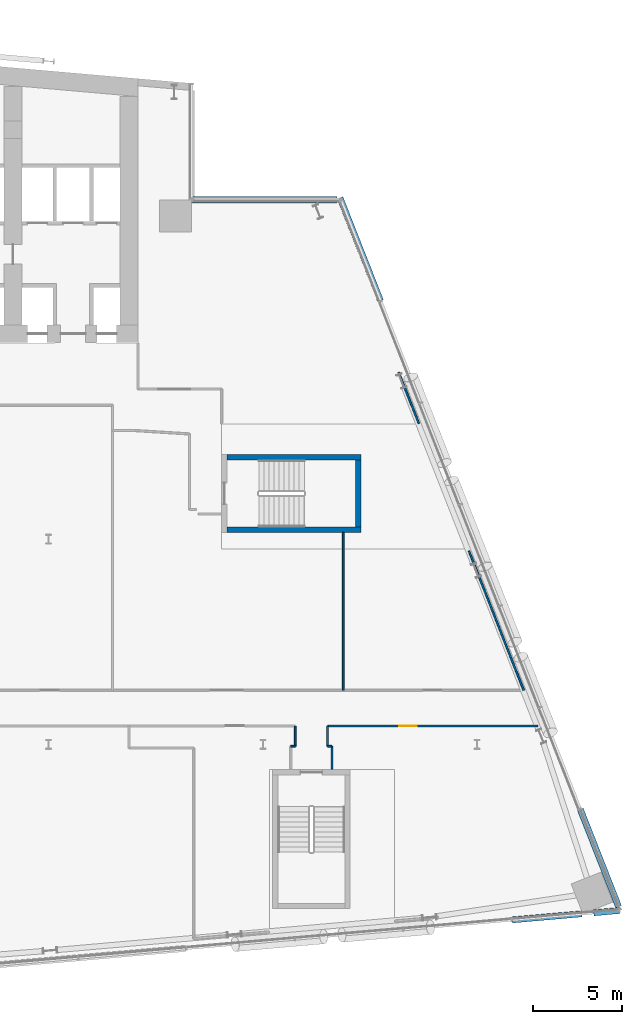
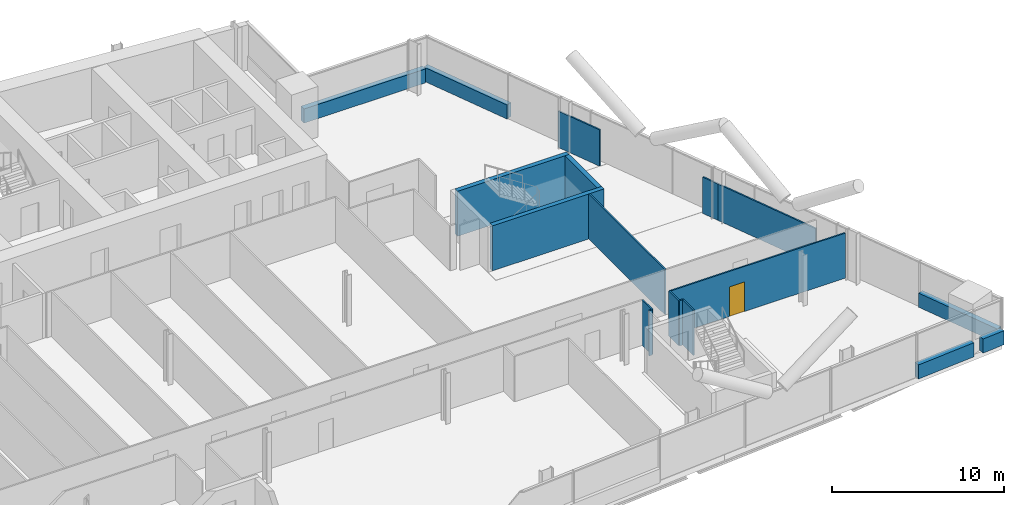
# One storey, part 19 of 27: 18 walls, 1 door, 1 opening.
"""IFC4 building model written with IfcOpenShell, lengths in metres."""

import ifcopenshell
import ifcopenshell.guid

model = None  # the IFC model being written
_history = None  # IfcOwnerHistory: only IFC2X3 demands one
_inside = {}  # id of a spatial element -> (the spatial element, [elements in it])
_under = {}  # id of a project, library or spatial element -> (it, [spatial elements below it])
_declared = {}  # id of a project -> (the project, [libraries it declares])
_typed = {}  # id of a type object -> (the type object, [elements of that type])
_made_of = {}  # id of a material, layer set ... -> (it, [elements and type objects made of it])


def new_model(schema):
    """Start an empty IFC model of exactly this schema.

    Asked for "IFC4X3", IfcOpenShell would pick the latest addendum, in which some entities
    have other attributes; the version numbers below select the first issue.
    IFC2X3 requires an IfcOwnerHistory on every rooted entity: one is made here for all.
    """
    global model, _history
    if schema == "IFC4X3":
        model = ifcopenshell.file(schema_version=(4, 3, 0, 0))
    else:
        model = ifcopenshell.file(schema=schema)
    _inside.clear()
    _under.clear()
    _declared.clear()
    _typed.clear()
    _made_of.clear()
    _history = None
    if model.schema == "IFC2X3":
        org = make("IfcOrganization", Name="unknown")
        user = make(
            "IfcPersonAndOrganization",
            ThePerson=make("IfcPerson", FamilyName="unknown"),
            TheOrganization=org,
        )
        app = make(
            "IfcApplication",
            ApplicationDeveloper=org,
            Version="unknown",
            ApplicationFullName="unknown",
            ApplicationIdentifier="unknown",
        )
        _history = make(
            "IfcOwnerHistory",
            OwningUser=user,
            OwningApplication=app,
            ChangeAction="ADDED",
            CreationDate=0,
        )
    return model


def make(cls, **values):
    """One entity of the class cls with the attributes given. An attribute that is None is left unset."""
    return model.create_entity(
        cls, **{name: value for name, value in values.items() if value is not None}
    )


def rooted(cls, **values):
    """An entity with a GlobalId (a new one), such as an element, a storey or a relation."""
    return make(cls, GlobalId=ifcopenshell.guid.new(), OwnerHistory=_history, **values)


def si_unit(unit_type, name, prefix=None):
    """IfcSIUnit, for example si_unit("LENGTHUNIT", "METRE", prefix="MILLI")."""
    return make("IfcSIUnit", UnitType=unit_type, Prefix=prefix, Name=name)


def assignment(units):
    """IfcUnitAssignment: the units of a project."""
    return None if units is None else make("IfcUnitAssignment", Units=units)


def point(xyz):
    """IfcCartesianPoint."""
    return None if xyz is None else make("IfcCartesianPoint", Coordinates=xyz)


def direction(xyz):
    """IfcDirection."""
    return None if xyz is None else make("IfcDirection", DirectionRatios=xyz)


def frame(location, z_axis=None, x_axis=None):
    """IfcAxis2Placement3D, a coordinate frame: its origin and axes. An axis left out is left unset."""
    return make(
        "IfcAxis2Placement3D",
        Location=point(location),
        Axis=direction(z_axis),
        RefDirection=direction(x_axis),
    )


def frame_2d(location, x_axis=None):
    """IfcAxis2Placement2D, a coordinate frame in the plane: its origin and x axis."""
    return make(
        "IfcAxis2Placement2D", Location=point(location), RefDirection=direction(x_axis)
    )


def origin():
    """The frame at (0, 0, 0) with its axes left unset."""
    return frame((0.0, 0.0, 0.0))


def place(relative_to, where):
    """IfcLocalPlacement: puts the frame where relative to a parent placement (None: the world)."""
    return make(
        "IfcLocalPlacement", PlacementRelTo=relative_to, RelativePlacement=where
    )


def context(
    kind, dimensions, precision=None, world=None, true_north=None, identifier=None
):
    """IfcGeometricRepresentationContext, for example the 3D "Model" context."""
    return make(
        "IfcGeometricRepresentationContext",
        ContextIdentifier=identifier,
        ContextType=kind,
        CoordinateSpaceDimension=dimensions,
        Precision=precision,
        WorldCoordinateSystem=world,
        TrueNorth=true_north,
    )


def subcontext(parent, identifier, kind, view, scale=None):
    """IfcGeometricRepresentationSubContext, for example "Body" below "Model"."""
    return make(
        "IfcGeometricRepresentationSubContext",
        ContextIdentifier=identifier,
        ContextType=kind,
        ParentContext=parent,
        TargetScale=scale,
        TargetView=view,
    )


def project(units=None, contexts=None):
    """IfcProject with its units and contexts."""
    return rooted(
        "IfcProject",
        Name="project",
        RepresentationContexts=contexts,
        UnitsInContext=assignment(units),
    )


def spatial(cls, under=None, at=None, **own):
    """A site, building, storey or space (cls), placed at a placement, below another one or the project."""
    s = rooted(cls, ObjectPlacement=at, **own)
    if under is not None:
        _under.setdefault(under.id(), (under, []))[1].append(s)
    return s


def profile(cls, at=None, kind="AREA", **sizes):
    """A parametric profile (cls). Its sizes go by their IFC names, for example OverallWidth=200.0."""
    return make(cls, ProfileType=kind, Position=at, **sizes)


def rectangle(**sizes):
    """IfcRectangleProfileDef."""
    return profile("IfcRectangleProfileDef", **sizes)


def extrude(swept, where, along, depth):
    """IfcExtrudedAreaSolid: the profile swept, set in the frame where, extruded along a direction by depth."""
    return make(
        "IfcExtrudedAreaSolid",
        SweptArea=swept,
        Position=where,
        ExtrudedDirection=direction(along),
        Depth=depth,
    )


def shape(context_of_items, identifier, shape_type, items):
    """IfcShapeRepresentation: the items that make up one representation, for example the "Body"."""
    return make(
        "IfcShapeRepresentation",
        ContextOfItems=context_of_items,
        RepresentationIdentifier=identifier,
        RepresentationType=shape_type,
        Items=items,
    )


def material(Name=None, Category=None):
    """IfcMaterial."""
    return make("IfcMaterial", Name=Name, Category=Category)


def layer(
    of_material, thickness, ventilated=None, Name=None, Category=None, Priority=None
):
    """IfcMaterialLayer: one layer of a wall or slab, of a material (None: an air gap)."""
    return make(
        "IfcMaterialLayer",
        Material=of_material,
        LayerThickness=thickness,
        IsVentilated=ventilated,
        Name=Name,
        Category=Category,
        Priority=Priority,
    )


def layer_set(layers, Name=None):
    """IfcMaterialLayerSet."""
    return make("IfcMaterialLayerSet", MaterialLayers=layers, LayerSetName=Name)


def made_of(thing, what):
    """Note that an element or type object is made of a material, layer set ...; save() writes the relation."""
    if what is not None:
        _made_of.setdefault(what.id(), (what, []))[1].append(thing)
    return thing


def type_object(cls, material=None, **own):
    """A type object (cls), such as IfcWallType, which elements share."""
    return made_of(rooted(cls, **own), material)


def element(
    cls,
    number,
    at=None,
    inside=None,
    cuts=None,
    type_object=None,
    material=None,
    context=None,
    identifier="Body",
    shape_type=None,
    held_by="IfcProductDefinitionShape",
    body=None,
    shapes=None,
    **own,
):
    """One element of the class cls, such as IfcWall. Its Tag is "e" and its number.

    at: its placement. inside: the storey or other place that contains it. cuts: it is an
    opening in that element (IfcRelVoidsElement). A single representation is given by context,
    identifier, shape_type and body (its items); several are given by shapes. held_by: the class
    of the entity that holds the representations. save() writes the other relations.
    """
    e = rooted(cls, Tag="e%d" % number, ObjectPlacement=at, **own)
    if body is not None:
        shapes = [shape(context, identifier, shape_type, body)]
    if shapes is not None:
        e.Representation = make(held_by, Representations=shapes)
    if inside is not None:
        _inside.setdefault(inside.id(), (inside, []))[1].append(e)
    if cuts is not None:
        rooted(
            "IfcRelVoidsElement", RelatingBuildingElement=cuts, RelatedOpeningElement=e
        )
    if type_object is not None:
        _typed.setdefault(type_object.id(), (type_object, []))[1].append(e)
    return made_of(e, material)


def fill(opening, filler):
    """IfcRelFillsElement: the door or window that sits in an opening."""
    return rooted(
        "IfcRelFillsElement",
        RelatingOpeningElement=opening,
        RelatedBuildingElement=filler,
    )


def aggregate(whole, parts):
    """IfcRelAggregates: a whole, such as a stair, and the parts it consists of."""
    return rooted("IfcRelAggregates", RelatingObject=whole, RelatedObjects=parts)


def save(model, path):
    """Write the relations noted so far, then the file.

    IfcRelAggregates (storeys below a building ...), IfcRelContainedInSpatialStructure (elements
    in a storey), IfcRelDefinesByType, IfcRelAssociatesMaterial and IfcRelDeclares: one each for
    every whole, place, type object, material and project.
    """
    for whole, parts in _under.values():
        aggregate(whole, parts)
    for where, things in _inside.values():
        rooted(
            "IfcRelContainedInSpatialStructure",
            RelatedElements=things,
            RelatingStructure=where,
        )
    for kind, things in _typed.values():
        rooted("IfcRelDefinesByType", RelatedObjects=things, RelatingType=kind)
    for what, things in _made_of.values():
        rooted("IfcRelAssociatesMaterial", RelatedObjects=things, RelatingMaterial=what)
    for by, libraries in _declared.values():
        rooted("IfcRelDeclares", RelatingContext=by, RelatedDefinitions=libraries)
    model.write(path)


model = new_model("IFC4")

# Units and contexts
model_context = context("Model", 3, precision=1e-05, world=origin(), true_north=direction((0.0, 1.0)))
body_context = subcontext(model_context, "Body", "Model", "MODEL_VIEW")
ifc_project = project(units=[si_unit("LENGTHUNIT", "METRE"), si_unit("AREAUNIT", "SQUARE_METRE"), si_unit("VOLUMEUNIT", "CUBIC_METRE"), si_unit("PLANEANGLEUNIT", "RADIAN"), si_unit("MASSUNIT", "GRAM", prefix="KILO")], contexts=[model_context])

# Site, building, storey
site_placement = place(None, origin())
site = spatial("IfcSite", under=ifc_project, at=site_placement, CompositionType="ELEMENT")
building_placement = place(site_placement, origin())
building = spatial("IfcBuilding", under=site, at=building_placement, Name="Wharfspan Tower", CompositionType="ELEMENT")
storey_placement = place(building_placement, frame((0.0, 0.0, 139.899902)))
storey = spatial("IfcBuildingStorey", under=building, at=storey_placement, Name="L33", CompositionType="ELEMENT", Elevation=139.899902)

# Walls
ifc_material_1 = material(Name="Gypsum board on steel studs", Category="steel")
ifc_layer_1 = layer(ifc_material_1, 0.100098)
ifc_layer_set_1 = layer_set([ifc_layer_1], Name="Gypsum board on steel studs")
wall_type_1 = type_object("IfcWallType", Name="Compartment wall 100 EI 60", PredefinedType="PARTITIONING", material=ifc_layer_set_1)
wall_1_placement = place(storey_placement, frame((73.570068, 11.39502, 0.0), z_axis=(0.0, 0.0, 1.0), x_axis=(1.0, 0.0, 0.0)))
element("IfcWall", 1, at=wall_1_placement, inside=storey, type_object=wall_type_1, Name="Partition L33.w048", PredefinedType="PARTITIONING", context=body_context, shape_type="SweptSolid", body=[
    extrude(rectangle(XDim=0.23999, YDim=0.100098, at=frame_2d((0.120117, 0.0))), origin(), (0.0, 0.0, 1.0), 3.200195),
])
for number, where, z_axis, x_axis, name in (
    (2, (73.814941, 11.399902, 0.0), (0.0, 0.0, 1.0), (0.0, 1.0, 0.0), "Partition L33.w049"),
    (3, (75.61499, 11.399902, 0.0), (0.0, 0.0, 1.0), (0.0, 1.0, 0.0), "Partition L33.w050"),
):
    element("IfcWall", number, at=place(storey_placement, frame(where, z_axis=z_axis, x_axis=x_axis)), inside=storey, type_object=wall_type_1, Name=name, PredefinedType="PARTITIONING", context=body_context, shape_type="SweptSolid", body=[
        extrude(rectangle(XDim=1.125, YDim=0.100098, at=frame_2d((0.5625, 0.0))), origin(), (0.0, 0.0, 1.0), 3.200195),
    ])
wall_2_placement = place(storey_placement, frame((75.620117, 11.39502, 0.0), z_axis=(0.0, 0.0, 1.0), x_axis=(1.0, 0.0, 0.0)))
element("IfcWall", 4, at=wall_2_placement, inside=storey, type_object=wall_type_1, Name="Partition L33.w051", PredefinedType="PARTITIONING", context=body_context, shape_type="SweptSolid", body=[
    extrude(rectangle(XDim=0.23999, YDim=0.100098, at=frame_2d((0.120117, 0.0))), origin(), (0.0, 0.0, 1.0), 3.200195),
])

# Wall, opening, door
wall_3_placement = place(storey_placement, frame((75.620117, 12.530029, 0.0), z_axis=(0.0, 0.0, 1.0), x_axis=(1.0, 0.0, 0.0)))
wall_3 = element("IfcWall", 5, at=wall_3_placement, inside=storey, type_object=wall_type_1, Name="Partition L33.w052", PredefinedType="PARTITIONING", context=body_context, shape_type="SweptSolid", body=[
    extrude(rectangle(XDim=11.774902, YDim=0.100098, at=frame_2d((5.887451, 0.0))), origin(), (0.0, 0.0, 1.0), 3.200195),
])
opening_placement = place(wall_3_placement, frame((4.007812, 0.0, 0.0)))
opening = element("IfcOpeningElement", 6, at=opening_placement, cuts=wall_3, Name="Opening B6-05", PredefinedType="OPENING", context=body_context, shape_type="SweptSolid", body=[
    extrude(rectangle(XDim=1.0, YDim=2.100098, at=frame_2d((0.5, 1.050049))), frame((0.0, 0.060059, 0.0), z_axis=(0.0, -1.0, 0.0), x_axis=(1.0, 0.0, 0.0)), (0.0, 0.0, 1.0), 0.120117),
])
ifc_material_2 = material(Name="Fire-rated timber door leaf in steel frame", Category="steel")
door_type = type_object("IfcDoorType", Name="Door 1000 FD30S Left", OperationType="SINGLE_SWING_LEFT", PredefinedType="DOOR", material=ifc_material_2)
door_placement = place(opening_placement, origin())
door = element("IfcDoor", 7, at=door_placement, inside=storey, type_object=door_type, Name="Door B6-05", OperationType="SINGLE_SWING_LEFT", OverallHeight=2.100098, OverallWidth=1.0, PredefinedType="DOOR", context=body_context, shape_type="SweptSolid", body=[
    extrude(rectangle(XDim=1.0, YDim=2.100098, at=frame_2d((0.5, 1.050049))), frame((0.0, 0.024902, 0.0), z_axis=(0.0, -1.0, 0.0), x_axis=(1.0, 0.0, 0.0)), (0.0, 0.0, 1.0), 0.050049),
])
fill(opening, door)

# Walls
wall_4_placement = place(storey_placement, frame((75.86499, 10.114746, 0.0), z_axis=(0.0, 0.0, 1.0), x_axis=(0.0, 1.0, 0.0)))
element("IfcWall", 8, at=wall_4_placement, inside=storey, type_object=wall_type_1, Name="Partition L33.w053", PredefinedType="PARTITIONING", context=body_context, shape_type="SweptSolid", body=[
    extrude(rectangle(XDim=1.270264, YDim=0.100098, at=frame_2d((0.635254, 0.0))), origin(), (0.0, 0.0, 1.0), 3.200195),
])
wall_5_placement = place(storey_placement, frame((76.5, 14.530029, 0.0), z_axis=(0.0, 0.0, 1.0), x_axis=(0.0, 1.0, 0.0)))
element("IfcWall", 9, at=wall_5_placement, inside=storey, type_object=wall_type_1, Name="Partition L33.w054", PredefinedType="PARTITIONING", context=body_context, shape_type="SweptSolid", body=[
    extrude(rectangle(XDim=8.844971, YDim=0.100098, at=frame_2d((4.422363, 0.0))), origin(), (0.0, 0.0, 1.0), 3.200195),
])
wall_6_placement = place(storey_placement, frame((86.610107, 14.530029, 0.0), z_axis=(0.0, 0.0, 1.0), x_axis=(-0.366129, 0.930561, 0.0)))
element("IfcWall", 10, at=wall_6_placement, inside=storey, type_object=wall_type_1, Name="Partition L33.w058", PredefinedType="PARTITIONING", context=body_context, shape_type="SweptSolid", body=[
    extrude(rectangle(XDim=7.225586, YDim=0.100098, at=frame_2d((3.612793, 0.0))), origin(), (0.0, 0.0, 1.0), 2.580078),
])
ifc_layer_2 = layer(ifc_material_1, 0.100098)
ifc_layer_set_2 = layer_set([ifc_layer_2], Name="Gypsum board on steel studs")
wall_type_2 = type_object("IfcWallType", Name="Partition 100", PredefinedType="PARTITIONING", material=ifc_layer_set_2)
wall_7_placement = place(storey_placement, frame((80.737061, 29.469971, 0.0), z_axis=(0.0, 0.0, 1.0), x_axis=(-0.366592, 0.930378, 0.0)))
element("IfcWall", 11, at=wall_7_placement, inside=storey, type_object=wall_type_2, Name="Partition L33.w056", PredefinedType="PARTITIONING", context=body_context, shape_type="SweptSolid", body=[
    extrude(rectangle(XDim=3.074219, YDim=0.100098, at=frame_2d((1.537109, 0.0))), origin(), (0.0, 0.0, 1.0), 2.580078),
])
wall_8_placement = place(storey_placement, frame((83.959961, 21.264893, 0.0), z_axis=(0.0, 0.0, 1.0), x_axis=(-0.364889, 0.931052, 0.0)))
element("IfcWall", 12, at=wall_8_placement, inside=storey, type_object=wall_type_2, Name="Partition L33.w057", PredefinedType="PARTITIONING", context=body_context, shape_type="SweptSolid", body=[
    extrude(rectangle(XDim=1.147461, YDim=0.100098, at=frame_2d((0.57373, 0.0))), origin(), (0.0, 0.0, 1.0), 2.580078),
])
ifc_material_3 = material(Name="Concrete C40/50", Category="concrete")
ifc_layer_3 = layer(ifc_material_3, 0.350098)
ifc_layer_set_3 = layer_set([ifc_layer_3], Name="Concrete C40/50")
wall_type_3 = type_object("IfcWallType", Name="SPANDREL EXPOSED CONCRETE 350", PredefinedType="SOLIDWALL", material=ifc_layer_set_3)
wall_9_placement = place(storey_placement, frame((85.958984, 1.666504, 0.0), z_axis=(0.0, 0.0, 1.0), x_axis=(0.996194, 0.087167, 0.0)))
element("IfcWall", 13, at=wall_9_placement, inside=storey, type_object=wall_type_3, Name="Spandrel upstand L33 S2 2", PredefinedType="SOLIDWALL", context=body_context, shape_type="SweptSolid", body=[
    extrude(rectangle(XDim=3.921143, YDim=0.350098, at=frame_2d((1.960449, 0.0))), origin(), (0.0, 0.0, 1.0), 1.0),
])
wall_10_placement = place(storey_placement, frame((90.5271, 2.066162, 0.0), z_axis=(0.0, 0.0, 1.0), x_axis=(0.996198, 0.087157, 0.0)))
element("IfcWall", 14, at=wall_10_placement, inside=storey, type_object=wall_type_3, Name="Spandrel upstand L33 S2 3", PredefinedType="SOLIDWALL", context=body_context, shape_type="SweptSolid", body=[
    extrude(rectangle(XDim=1.479004, YDim=0.350098, at=frame_2d((0.739502, 0.0))), origin(), (0.0, 0.0, 1.0), 1.0),
])
wall_11_placement = place(storey_placement, frame((91.921387, 2.413574, 0.0), z_axis=(0.0, 0.0, 1.0), x_axis=(-0.36578, 0.930701, 0.0)))
element("IfcWall", 15, at=wall_11_placement, inside=storey, type_object=wall_type_3, Name="Spandrel upstand L33 E 1", PredefinedType="SOLIDWALL", context=body_context, shape_type="SweptSolid", body=[
    extrude(rectangle(XDim=5.851562, YDim=0.350098, at=frame_2d((2.925781, 0.0))), origin(), (0.0, 0.0, 1.0), 1.0),
])
wall_12_placement = place(storey_placement, frame((78.586426, 36.343994, 0.0), z_axis=(0.0, 0.0, 1.0), x_axis=(-0.365792, 0.930699, 0.0)))
element("IfcWall", 16, at=wall_12_placement, inside=storey, type_object=wall_type_3, Name="Spandrel upstand L33 E 2", PredefinedType="SOLIDWALL", context=body_context, shape_type="SweptSolid", body=[
    extrude(rectangle(XDim=6.20166, YDim=0.350098, at=frame_2d((3.10083, 0.0))), origin(), (0.0, 0.0, 1.0), 1.0),
])
wall_13_placement = place(storey_placement, frame((76.155029, 42.004883, 0.0), z_axis=(0.0, 0.0, 1.0), x_axis=(-1.0, 0.0, 0.0)))
element("IfcWall", 17, at=wall_13_placement, inside=storey, type_object=wall_type_3, Name="Spandrel upstand L33 NRE-H", PredefinedType="SOLIDWALL", context=body_context, shape_type="SweptSolid", body=[
    extrude(rectangle(XDim=8.155029, YDim=0.350098, at=frame_2d((4.077637, 0.0))), origin(), (0.0, 0.0, 1.0), 1.0),
])
ifc_layer_4 = layer(ifc_material_3, 0.300049)
ifc_layer_set_4 = layer_set([ifc_layer_4], Name="Concrete C40/50")
wall_type_4 = type_object("IfcWallType", Name="Stair core wall 300", PredefinedType="SHEAR", material=ifc_layer_set_4)
for number, where, z_axis, x_axis, name in (
    (18, (69.990479, 23.524902, 0.0), (0.0, 0.0, 1.0), (1.0, 0.0, 0.0), "ST6 stair enclosure wall L33"),
    (19, (69.990479, 27.574951, 0.0), (0.0, 0.0, 1.0), (1.0, 0.0, 0.0), "ST6 stair enclosure wall L33"),
):
    element("IfcWall", number, at=place(storey_placement, frame(where, z_axis=z_axis, x_axis=x_axis)), inside=storey, type_object=wall_type_4, Name=name, PredefinedType="SHEAR", context=body_context, shape_type="SweptSolid", body=[
        extrude(rectangle(XDim=7.5, YDim=0.300049, at=frame_2d((3.75, 0.0))), origin(), (0.0, 0.0, 1.0), 3.200195),
    ])
wall_14_placement = place(storey_placement, frame((77.340332, 23.675049, 0.0), z_axis=(0.0, 0.0, 1.0), x_axis=(0.0, 1.0, 0.0)))
element("IfcWall", 20, at=wall_14_placement, inside=storey, type_object=wall_type_4, Name="ST6 stair enclosure wall L33", PredefinedType="SHEAR", context=body_context, shape_type="SweptSolid", body=[
    extrude(rectangle(XDim=3.75, YDim=0.300049, at=frame_2d((1.875, 0.0))), origin(), (0.0, 0.0, 1.0), 3.200195),
])

save(model, "model.ifc")
